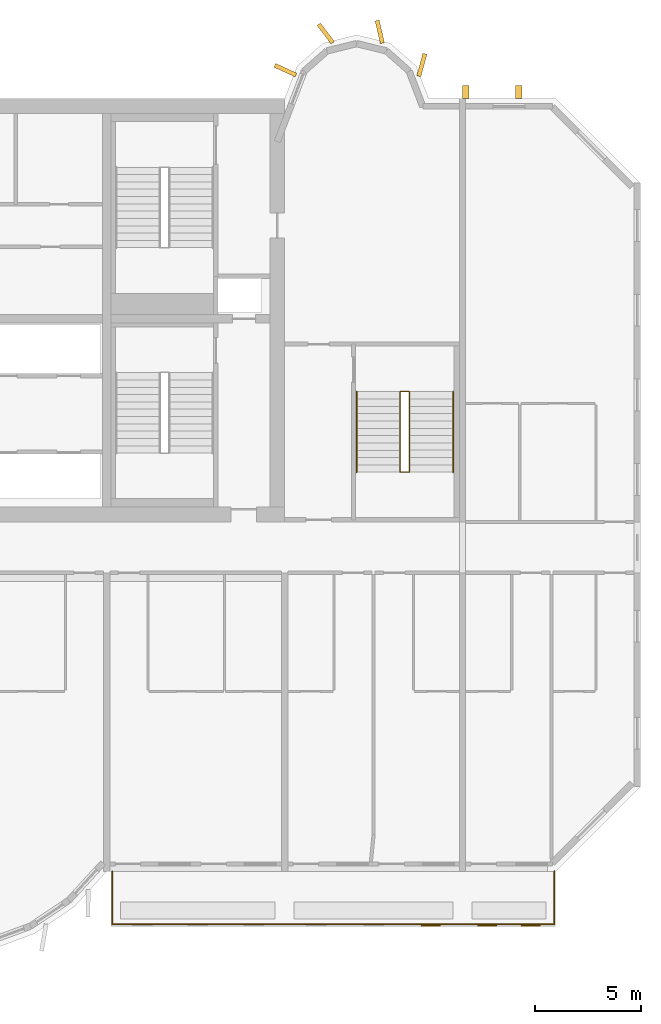
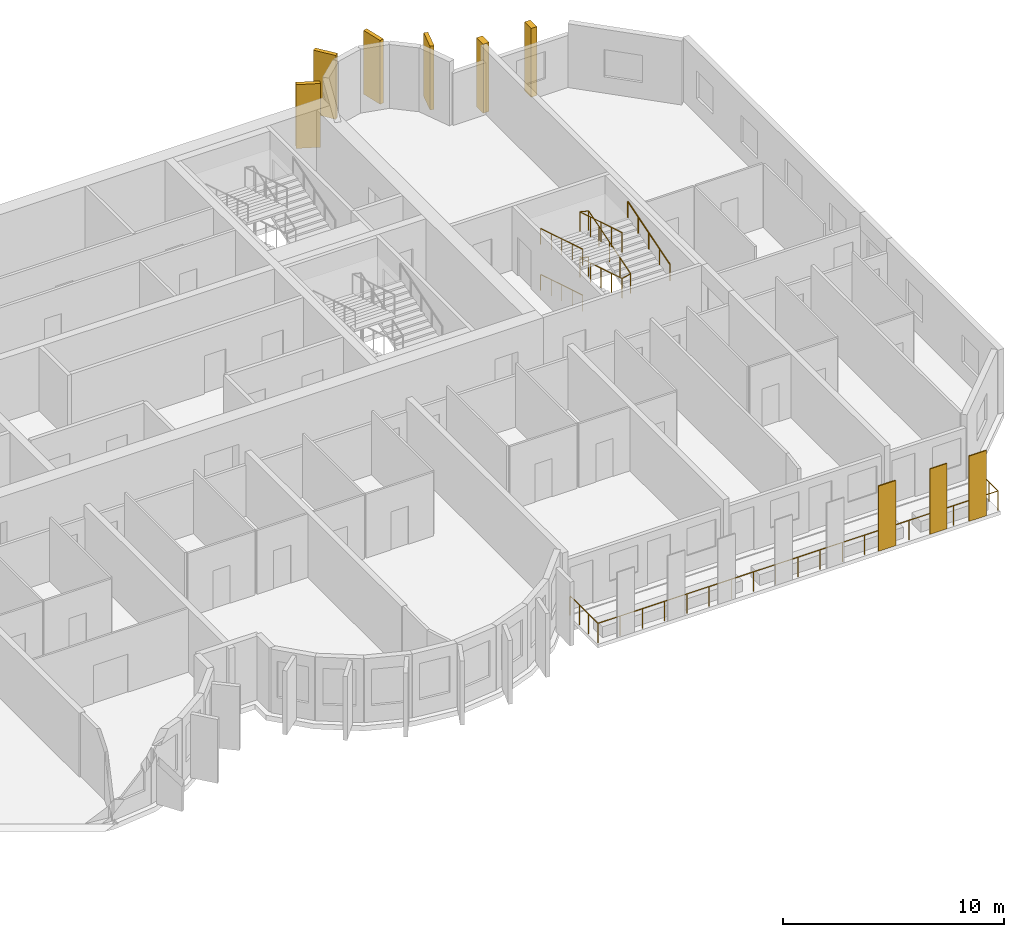
# One storey, part 12 of 13: 9 coverings, 5 railings.
"""IFC4 building model written with IfcOpenShell, lengths in metres."""

from ifc_helpers import new_model, si_unit, direction, frame, origin, origin_2d, place, context, subcontext, project, spatial, rectangle, circle, extrude, source, transform, mapped, material, layer, layer_set, material_profile, profile_set, type_object, element, save


model = new_model("IFC4")

# Units and contexts
model_context = context("Model", 3, precision=1e-05, world=origin(), true_north=direction((0.0, 1.0)))
body_context = subcontext(model_context, "Body", "Model", "MODEL_VIEW")
ifc_project = project(units=[si_unit("LENGTHUNIT", "METRE"), si_unit("AREAUNIT", "SQUARE_METRE"), si_unit("VOLUMEUNIT", "CUBIC_METRE"), si_unit("PLANEANGLEUNIT", "RADIAN"), si_unit("MASSUNIT", "GRAM", prefix="KILO")], contexts=[model_context])

# Site, building, storey
site_placement = place(None, origin())
site = spatial("IfcSite", under=ifc_project, at=site_placement, CompositionType="ELEMENT")
building_placement = place(site_placement, origin())
building = spatial("IfcBuilding", under=site, at=building_placement, Name="Vanashikhar Sky Hotel", CompositionType="ELEMENT")
storey_placement = place(building_placement, frame((0.0, 0.0, 189.60009765625)))
storey = spatial("IfcBuildingStorey", under=building, at=storey_placement, Name="L46", CompositionType="ELEMENT", Elevation=189.60009765625)

# Coverings
ifc_material_1 = material(Name="Terracotta", Category="masonry")
ifc_layer = layer(ifc_material_1, 0.06005859375)
ifc_layer_set = layer_set([ifc_layer], Name="Terracotta baguette screen")
covering_type_1 = type_object("IfcCoveringType", Name="Terracotta baguette screen", PredefinedType="CLADDING", material=ifc_layer_set)
shared_shape_1 = source(origin(), body_context, "Body", "SweptSolid", [
    extrude(rectangle(XDim=0.89990234375, YDim=0.06005859375, at=origin_2d()), origin(), (0.0, 0.0, 1.0), 3.60009765625),
])
for number, where, z_axis, x_axis, name in (
    (1, (82.5, 2.929931640625, -0.050048828125), (0.0, 0.0, 1.0), (1.0, 0.0, 0.0), "Terracotta screen"),
    (2, (85.175048828125, 2.929931640625, -0.050048828125), (0.0, 0.0, 1.0), (1.0, 0.0, 0.0), "Terracotta screen"),
    (3, (87.22509765625, 2.929931640625, -0.050048828125), (0.0, 0.0, 1.0), (1.0, 0.0, 0.0), "Terracotta screen"),
):
    element("IfcCovering", number, at=place(storey_placement, frame(where, z_axis=z_axis, x_axis=x_axis)), inside=storey, type_object=covering_type_1, Name=name, PredefinedType="CLADDING", context=body_context, shape_type="MappedRepresentation", body=[
        mapped(shared_shape_1, transform((0.0, 0.0, 0.0), scale=1.0)),
    ])
ifc_material_2 = material(Name="Concrete M60 dark", Category="concrete")
ifc_material_profile_1 = material_profile(ifc_material_2, rectangle(XDim=1.10009765625, YDim=0.199951171875, at=origin_2d()))
ifc_profile_set_1 = profile_set([ifc_material_profile_1], Name="Rear lobe fin 1100 x 200")
covering_type_2 = type_object("IfcCoveringType", Name="Rear lobe fin 1100 x 200", PredefinedType="CLADDING", material=ifc_profile_set_1)
shared_shape_2 = source(origin(), body_context, "Body", "SweptSolid", [
    extrude(rectangle(XDim=1.10009765625, YDim=0.199951171875, at=origin_2d()), origin(), (0.0, 0.0, 1.0), 3.52001953125),
])
for number, where, z_axis, x_axis, name in (
    (4, (75.63037109375, 43.33447265625, 0.0), (0.0, 0.0, 1.0), (-0.908004291068, 0.418960866193, 0.0), "Fin R2-1"),
    (5, (77.5380859375, 45.06640625, 0.0), (0.0, 0.0, 1.0), (-0.602065892195, 0.798446404874, 0.0), "Fin R2-2"),
    (6, (80.08984375, 45.1455078125, 0.0), (0.0, 0.0, 1.0), (-0.224644935864, 0.974440687159, 0.0), "Fin R2-3"),
    (7, (82.0791015625, 43.580078125, 0.0), (0.0, 0.0, 1.0), (0.262711264409, 0.964874495234, 0.0), "Fin R2-4"),
):
    element("IfcCovering", number, at=place(storey_placement, frame(where, z_axis=z_axis, x_axis=x_axis)), inside=storey, type_object=covering_type_2, Name=name, PredefinedType="CLADDING", context=body_context, shape_type="MappedRepresentation", body=[
        mapped(shared_shape_2, transform((0.0, 0.0, 0.0), scale=1.0)),
    ])

# Railing
ifc_material_3 = material(Name="Stainless steel 316", Category="steel")
railing_type_1 = type_object("IfcRailingType", Name="Balcony guard 1100", PredefinedType="GUARDRAIL", material=ifc_material_3)
shared_shape_3 = source(origin(), body_context, "Body", "SweptSolid", [
    extrude(circle(Radius=0.02392578125, at=origin_2d()), frame((0.0, 0.0, 1.076171875), z_axis=(0.0, -1.0, 0.0), x_axis=(1.0, 0.0, 0.0)), (0.0, 0.0, 1.0), 2.5),
    extrude(circle(Radius=0.02392578125, at=origin_2d()), frame((0.0, -2.5, 1.076171875), z_axis=(1.0, 0.0, 0.0), x_axis=(0.0, 1.0, 0.0)), (0.0, 0.0, 1.0), 20.880126953125),
    extrude(circle(Radius=0.02392578125, at=origin_2d()), frame((20.880126953125, -2.5, 1.076171875), z_axis=(0.0, 1.0, 0.0), x_axis=(-1.0, 0.0, 0.0)), (0.0, 0.0, 1.0), 2.5),
    extrude(circle(Radius=0.02099609375, at=origin_2d()), origin(), (0.0, 0.0, 1.0), 1.052001953125),
    extrude(circle(Radius=0.02099609375, at=origin_2d()), frame((0.0, -0.833251953125, 0.0)), (0.0, 0.0, 1.0), 1.052001953125),
    extrude(circle(Radius=0.02099609375, at=origin_2d()), frame((0.0, -1.666748046875, 0.0)), (0.0, 0.0, 1.0), 1.052001953125),
    extrude(circle(Radius=0.02099609375, at=origin_2d()), frame((0.0, -2.5, 0.0)), (0.0, 0.0, 1.0), 1.052001953125),
    extrude(circle(Radius=0.02099609375, at=origin_2d()), frame((1.159912109375, -2.5, 0.0)), (0.0, 0.0, 1.0), 1.052001953125),
    extrude(circle(Radius=0.02099609375, at=origin_2d()), frame((2.320068359375, -2.5, 0.0)), (0.0, 0.0, 1.0), 1.052001953125),
    extrude(circle(Radius=0.02099609375, at=origin_2d()), frame((3.47998046875, -2.5, 0.0)), (0.0, 0.0, 1.0), 1.052001953125),
    extrude(circle(Radius=0.02099609375, at=origin_2d()), frame((4.64013671875, -2.5, 0.0)), (0.0, 0.0, 1.0), 1.052001953125),
    extrude(circle(Radius=0.02099609375, at=origin_2d()), frame((5.800048828125, -2.5, 0.0)), (0.0, 0.0, 1.0), 1.052001953125),
    extrude(circle(Radius=0.02099609375, at=origin_2d()), frame((6.9599609375, -2.5, 0.0)), (0.0, 0.0, 1.0), 1.052001953125),
    extrude(circle(Radius=0.02099609375, at=origin_2d()), frame((8.1201171875, -2.5, 0.0)), (0.0, 0.0, 1.0), 1.052001953125),
    extrude(circle(Radius=0.02099609375, at=origin_2d()), frame((9.280029296875, -2.5, 0.0)), (0.0, 0.0, 1.0), 1.052001953125),
    extrude(circle(Radius=0.02099609375, at=origin_2d()), frame((10.43994140625, -2.5, 0.0)), (0.0, 0.0, 1.0), 1.052001953125),
    extrude(circle(Radius=0.02099609375, at=origin_2d()), frame((11.60009765625, -2.5, 0.0)), (0.0, 0.0, 1.0), 1.052001953125),
    extrude(circle(Radius=0.02099609375, at=origin_2d()), frame((12.760009765625, -2.5, 0.0)), (0.0, 0.0, 1.0), 1.052001953125),
    extrude(circle(Radius=0.02099609375, at=origin_2d()), frame((13.920166015625, -2.5, 0.0)), (0.0, 0.0, 1.0), 1.052001953125),
    extrude(circle(Radius=0.02099609375, at=origin_2d()), frame((15.080078125, -2.5, 0.0)), (0.0, 0.0, 1.0), 1.052001953125),
    extrude(circle(Radius=0.02099609375, at=origin_2d()), frame((16.239990234375, -2.5, 0.0)), (0.0, 0.0, 1.0), 1.052001953125),
    extrude(circle(Radius=0.02099609375, at=origin_2d()), frame((17.400146484375, -2.5, 0.0)), (0.0, 0.0, 1.0), 1.052001953125),
    extrude(circle(Radius=0.02099609375, at=origin_2d()), frame((18.56005859375, -2.5, 0.0)), (0.0, 0.0, 1.0), 1.052001953125),
    extrude(circle(Radius=0.02099609375, at=origin_2d()), frame((19.72021484375, -2.5, 0.0)), (0.0, 0.0, 1.0), 1.052001953125),
    extrude(circle(Radius=0.02099609375, at=origin_2d()), frame((20.880126953125, -2.5, 0.0)), (0.0, 0.0, 1.0), 1.052001953125),
    extrude(circle(Radius=0.02099609375, at=origin_2d()), frame((20.880126953125, -1.666748046875, 0.0)), (0.0, 0.0, 1.0), 1.052001953125),
    extrude(circle(Radius=0.02099609375, at=origin_2d()), frame((20.880126953125, -0.833251953125, 0.0)), (0.0, 0.0, 1.0), 1.052001953125),
    extrude(circle(Radius=0.02099609375, at=origin_2d()), frame((20.880126953125, 0.0, 0.0)), (0.0, 0.0, 1.0), 1.052001953125),
])
railing_1_placement = place(storey_placement, frame((67.4599609375, 5.5, -0.050048828125)))
element("IfcRailing", 8, at=railing_1_placement, inside=storey, type_object=railing_type_1, Name="Balcony guard", PredefinedType="GUARDRAIL", context=body_context, shape_type="MappedRepresentation", body=[
    mapped(shared_shape_3, transform((0.0, 0.0, 0.0), scale=1.0)),
])

# Coverings
ifc_material_profile_2 = material_profile(ifc_material_2, rectangle(XDim=0.60009765625, YDim=0.300048828125, at=origin_2d()))
ifc_profile_set_2 = profile_set([ifc_material_profile_2], Name="Rear rib 600 x 300")
covering_type_3 = type_object("IfcCoveringType", Name="Rear rib 600 x 300", PredefinedType="CLADDING", material=ifc_profile_set_2)
shared_shape_4 = source(origin(), body_context, "Body", "SweptSolid", [
    extrude(rectangle(XDim=0.60009765625, YDim=0.300048828125, at=origin_2d()), origin(), (0.0, 0.0, 1.0), 3.800048828125),
])
for number, where, z_axis, x_axis, name in (
    (9, (84.14990234375, 42.300048828125, -0.280029296875), (0.0, 0.0, 1.0), (0.0, 1.0, 0.0), "Rear rib"),
    (10, (86.64990234375, 42.300048828125, -0.280029296875), (0.0, 0.0, 1.0), (0.0, 1.0, 0.0), "Rear rib"),
):
    element("IfcCovering", number, at=place(storey_placement, frame(where, z_axis=z_axis, x_axis=x_axis)), inside=storey, type_object=covering_type_3, Name=name, PredefinedType="CLADDING", context=body_context, shape_type="MappedRepresentation", body=[
        mapped(shared_shape_4, transform((0.0, 0.0, 0.0), scale=1.0)),
    ])

# Railings
ifc_material_4 = material(Name="Steel S355", Category="steel")
railing_type_2 = type_object("IfcRailingType", Name="Stair handrail 900", PredefinedType="HANDRAIL", material=ifc_material_4)
shared_shape_5 = source(origin(), body_context, "Body", "SweptSolid", [
    extrude(circle(Radius=0.02392578125, at=origin_2d()), frame((0.0, 0.0, 0.8759765625), z_axis=(0.0, 0.956345846891, 0.292237268557), x_axis=(-1.0, 0.0, 0.0)), (0.0, 0.0, 1.0), 3.97314453125),
    extrude(circle(Radius=0.02099609375, at=origin_2d()), origin(), (0.0, 0.0, 1.0), 0.851806640625),
    extrude(circle(Radius=0.02099609375, at=origin_2d()), frame((0.0, 0.949951171875, 0.290283203125)), (0.0, 0.0, 1.0), 0.851806640625),
    extrude(circle(Radius=0.02099609375, at=origin_2d()), frame((0.0, 1.89990234375, 0.58056640625)), (0.0, 0.0, 1.0), 0.851806640625),
    extrude(circle(Radius=0.02099609375, at=origin_2d()), frame((0.0, 2.849853515625, 0.870849609375)), (0.0, 0.0, 1.0), 0.851806640625),
    extrude(circle(Radius=0.02099609375, at=origin_2d()), frame((0.0, 3.7998046875, 1.1611328125)), (0.0, 0.0, 1.0), 0.851806640625),
])
railing_2_placement = place(storey_placement, frame((83.550048828125, 24.35009765625, 1.3720703125)))
element("IfcRailing", 11, at=railing_2_placement, inside=storey, type_object=railing_type_2, Name="Exit stair 4 handrail", PredefinedType="HANDRAIL", context=body_context, shape_type="MappedRepresentation", body=[
    mapped(shared_shape_5, transform((0.0, 0.0, 0.0), scale=1.0)),
])
shared_shape_6 = source(origin(), body_context, "Body", "SweptSolid", [
    extrude(circle(Radius=0.02392578125, at=origin_2d()), frame((0.0, 0.0, 0.8759765625), z_axis=(0.0, -0.956345846891, 0.292237268557), x_axis=(1.0, 0.0, 0.0)), (0.0, 0.0, 1.0), 3.97314453125),
    extrude(circle(Radius=0.02099609375, at=origin_2d()), origin(), (0.0, 0.0, 1.0), 0.851806640625),
    extrude(circle(Radius=0.02099609375, at=origin_2d()), frame((0.0, -0.949951171875, 0.290283203125)), (0.0, 0.0, 1.0), 0.851806640625),
    extrude(circle(Radius=0.02099609375, at=origin_2d()), frame((0.0, -1.89990234375, 0.58056640625)), (0.0, 0.0, 1.0), 0.851806640625),
    extrude(circle(Radius=0.02099609375, at=origin_2d()), frame((0.0, -2.849853515625, 0.870849609375)), (0.0, 0.0, 1.0), 0.851806640625),
    extrude(circle(Radius=0.02099609375, at=origin_2d()), frame((0.0, -3.7998046875, 1.1611328125)), (0.0, 0.0, 1.0), 0.851806640625),
])
for number, where, name in (
    (12, (79.0, 28.14990234375, 0.10546875), "Exit stair 4 handrail"),
    (13, (79.0, 28.14990234375, 2.638671875), "Exit stair 4 handrail"),
):
    element("IfcRailing", number, at=place(storey_placement, frame(where)), inside=storey, type_object=railing_type_2, Name=name, PredefinedType="HANDRAIL", context=body_context, shape_type="MappedRepresentation", body=[
        mapped(shared_shape_6, transform((0.0, 0.0, 0.0), scale=1.0)),
    ])
railing_type_3 = type_object("IfcRailingType", Name="Stair guard 1100", PredefinedType="GUARDRAIL", material=ifc_material_4)
shared_shape_7 = source(origin(), body_context, "Body", "SweptSolid", [
    extrude(circle(Radius=0.02392578125, at=origin_2d()), frame((0.0, 0.0, 1.076171875), z_axis=(-0.973610808694, 0.0, 0.228214796178), x_axis=(0.0, -1.0, 0.0)), (0.0, 0.0, 1.0), 0.462158203125),
    extrude(circle(Radius=0.02392578125, at=origin_2d()), frame((-0.449951171875, 0.0, 1.181640625), z_axis=(0.0, -0.956345846891, 0.292237268557), x_axis=(1.0, 0.0, 0.0)), (0.0, 0.0, 1.0), 3.97314453125),
    extrude(circle(Radius=0.02392578125, at=origin_2d()), frame((-0.449951171875, -3.7998046875, 2.3427734375), z_axis=(0.973610808694, 0.0, 0.228214796178), x_axis=(0.0, 1.0, 0.0)), (0.0, 0.0, 1.0), 0.462158203125),
    extrude(circle(Radius=0.02392578125, at=origin_2d()), frame((0.0, -3.7998046875, 2.4482421875), z_axis=(0.0, 0.956345846891, 0.292237268557), x_axis=(-1.0, 0.0, 0.0)), (0.0, 0.0, 1.0), 3.97314453125),
    extrude(circle(Radius=0.02392578125, at=origin_2d()), frame((0.0, 0.0, 3.609375), z_axis=(-0.973610808694, 0.0, 0.228214796178), x_axis=(0.0, -1.0, 0.0)), (0.0, 0.0, 1.0), 0.462158203125),
    extrude(circle(Radius=0.02392578125, at=origin_2d()), frame((-0.449951171875, 0.0, 3.71484375), z_axis=(0.0, -0.956345846891, 0.292237268557), x_axis=(1.0, 0.0, 0.0)), (0.0, 0.0, 1.0), 3.97314453125),
    extrude(circle(Radius=0.02099609375, at=origin_2d()), origin(), (0.0, 0.0, 1.0), 1.052001953125),
    extrude(circle(Radius=0.02099609375, at=origin_2d()), frame((-0.449951171875, 0.0, 0.10546875)), (0.0, 0.0, 1.0), 1.052001953125),
    extrude(circle(Radius=0.02099609375, at=origin_2d()), frame((-0.449951171875, -0.949951171875, 0.395751953125)), (0.0, 0.0, 1.0), 1.052001953125),
    extrude(circle(Radius=0.02099609375, at=origin_2d()), frame((-0.449951171875, -1.89990234375, 0.68603515625)), (0.0, 0.0, 1.0), 1.052001953125),
    extrude(circle(Radius=0.02099609375, at=origin_2d()), frame((-0.449951171875, -2.849853515625, 0.976318359375)), (0.0, 0.0, 1.0), 1.052001953125),
    extrude(circle(Radius=0.02099609375, at=origin_2d()), frame((-0.449951171875, -3.7998046875, 1.2666015625)), (0.0, 0.0, 1.0), 1.052001953125),
    extrude(circle(Radius=0.02099609375, at=origin_2d()), frame((0.0, -3.7998046875, 1.3720703125)), (0.0, 0.0, 1.0), 1.052001953125),
    extrude(circle(Radius=0.02099609375, at=origin_2d()), frame((0.0, -2.849853515625, 1.662353515625)), (0.0, 0.0, 1.0), 1.052001953125),
    extrude(circle(Radius=0.02099609375, at=origin_2d()), frame((0.0, -1.89990234375, 1.95263671875)), (0.0, 0.0, 1.0), 1.052001953125),
    extrude(circle(Radius=0.02099609375, at=origin_2d()), frame((0.0, -0.949951171875, 2.242919921875)), (0.0, 0.0, 1.0), 1.052001953125),
    extrude(circle(Radius=0.02099609375, at=origin_2d()), frame((0.0, 0.0, 2.533203125)), (0.0, 0.0, 1.0), 1.052001953125),
    extrude(circle(Radius=0.02099609375, at=origin_2d()), frame((-0.449951171875, 0.0, 2.638671875)), (0.0, 0.0, 1.0), 1.052001953125),
    extrude(circle(Radius=0.02099609375, at=origin_2d()), frame((-0.449951171875, -0.949951171875, 2.928955078125)), (0.0, 0.0, 1.0), 1.052001953125),
    extrude(circle(Radius=0.02099609375, at=origin_2d()), frame((-0.449951171875, -1.89990234375, 3.21923828125)), (0.0, 0.0, 1.0), 1.052001953125),
    extrude(circle(Radius=0.02099609375, at=origin_2d()), frame((-0.449951171875, -2.849853515625, 3.509521484375)), (0.0, 0.0, 1.0), 1.052001953125),
    extrude(circle(Radius=0.02099609375, at=origin_2d()), frame((-0.449951171875, -3.7998046875, 3.7998046875)), (0.0, 0.0, 1.0), 1.052001953125),
])
railing_3_placement = place(storey_placement, frame((81.5, 28.14990234375, 0.0)))
element("IfcRailing", 14, at=railing_3_placement, inside=storey, type_object=railing_type_3, Name="Exit stair 4 guard", PredefinedType="GUARDRAIL", context=body_context, shape_type="MappedRepresentation", body=[
    mapped(shared_shape_7, transform((0.0, 0.0, 0.0), scale=1.0)),
])

save(model, "model.ifc")
